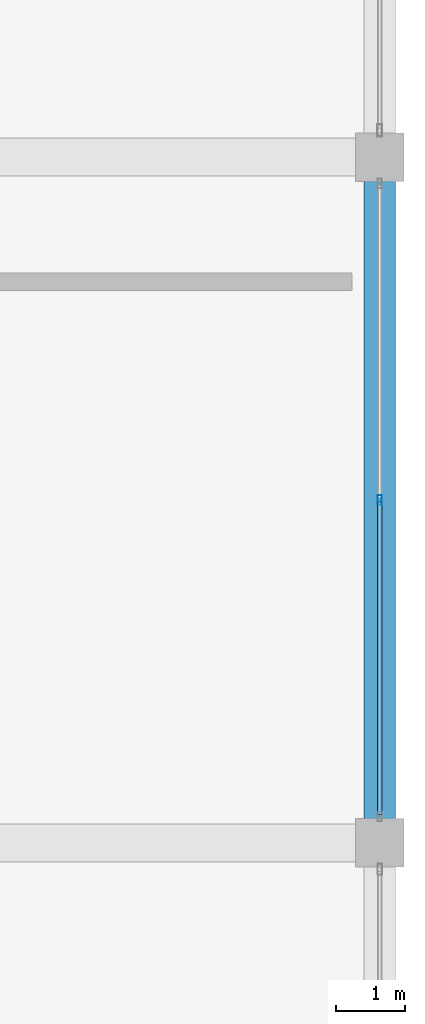
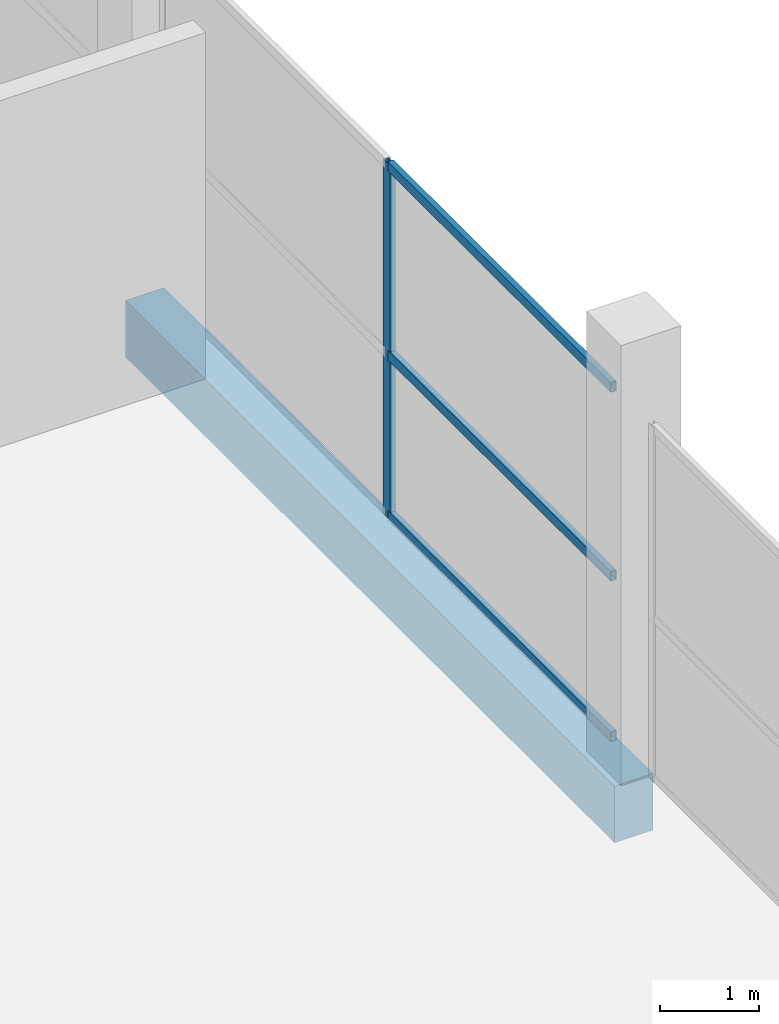
# One storey, part 34 of 72: 4 members, 1 beam, 1 element without a shape of its own.
"""IFC4 building model written with IfcOpenShell, lengths in metres."""

from ifc_helpers import new_model, si_unit, direction, frame, origin, origin_2d, place, context, subcontext, project, spatial, rectangle, hollow_rectangle, extrude, material, layer, layer_set, material_profile, profile_set, type_object, element, aggregate, save


model = new_model("IFC4")

# Units and contexts
model_context = context("Model", 3, precision=1e-05, world=origin(), true_north=direction((0.0, 1.0)))
body_context = subcontext(model_context, "Body", "Model", "MODEL_VIEW")
ifc_project = project(units=[si_unit("LENGTHUNIT", "METRE"), si_unit("AREAUNIT", "SQUARE_METRE"), si_unit("VOLUMEUNIT", "CUBIC_METRE"), si_unit("PLANEANGLEUNIT", "RADIAN"), si_unit("MASSUNIT", "GRAM", prefix="KILO")], contexts=[model_context])

# Site, building, storey
site_placement = place(None, origin())
site = spatial("IfcSite", under=ifc_project, at=site_placement, CompositionType="ELEMENT")
building_placement = place(site_placement, origin())
building = spatial("IfcBuilding", under=site, at=building_placement, Name="Sillaruma Civic Art Gallery", CompositionType="ELEMENT")
storey_placement = place(building_placement, frame((0.0, 0.0, 10.8798828125)))
storey = spatial("IfcBuildingStorey", under=building, at=storey_placement, Name="L02", CompositionType="ELEMENT", Elevation=10.8798828125)

# Beam
ifc_material_1 = material(Name="Concrete H35 (35 MPa)", Category="concrete")
ifc_material_profile_1 = material_profile(ifc_material_1, rectangle(XDim=0.449951171875, YDim=0.699951171875, at=origin_2d()), Name="RCB450x700")
ifc_profile_set_1 = profile_set([ifc_material_profile_1], Name="Concrete H35 (35 MPa)")
beam_type = type_object("IfcBeamType", Name="BM-SPANDREL-RCB450x700", PredefinedType="SPANDREL", material=ifc_profile_set_1)
beam_placement = place(storey_placement, frame((176.39990234375, 9.89990234375, -0.60986328125), z_axis=(0.0, 1.0, 0.0), x_axis=(-1.0, 0.0, 0.0)))
element("IfcBeam", 1, at=beam_placement, inside=storey, type_object=beam_type, Name="Beam BS-03 (L01:T:2-3)", PredefinedType="SPANDREL", context=body_context, shape_type="SweptSolid", body=[
    extrude(rectangle(XDim=0.449951171875, YDim=0.699951171875, at=origin_2d()), origin(), (0.0, 0.0, 1.0), 9.900146484375),
])

# Curtain wall, members
ifc_material_2 = material(Name="Thermally Broken Extruded Aluminium 6063-T6", Category="aluminium")
ifc_layer = layer(ifc_material_2, 0.139892578125, Name="Thermally Broken Extruded Aluminium 6063-T6")
ifc_layer_set = layer_set([ifc_layer], Name="Thermally Broken Extruded Aluminium 6063-T6")
curtain_wall_type = type_object("IfcCurtainWallType", Name="CW-UNI-11", PredefinedType="NOTDEFINED", material=ifc_layer_set)
curtain_wall_placement = place(storey_placement, origin())
curtain_wall = element("IfcCurtainWall", 2, at=curtain_wall_placement, inside=storey, type_object=curtain_wall_type, Name="Unitised Curtain Wall CW-11 (CW-L02-ESTR-2)", PredefinedType="NOTDEFINED")
ifc_material_profile_2 = material_profile(ifc_material_2, hollow_rectangle(XDim=0.06005859375, YDim=0.139892578125, WallThickness=0.00341796875, at=origin_2d()), Name="CWM60x140")
ifc_profile_set_2 = profile_set([ifc_material_profile_2], Name="Thermally Broken Extruded Aluminium 6063-T6")
member_type_1 = type_object("IfcMemberType", Name="MEM-MUL-CWM60x140", PredefinedType="MULLION", material=ifc_profile_set_2)
member_1_placement = place(storey_placement, frame((176.39990234375, 14.85009765625, 0.0), z_axis=(0.0, 0.0, 1.0), x_axis=(-1.0, 0.0, 0.0)))
member_1 = element("IfcMember", 3, at=member_1_placement, type_object=member_type_1, Name="CW-11 mullion 2", PredefinedType="MULLION", context=body_context, shape_type="SweptSolid", body=[
    extrude(hollow_rectangle(XDim=0.06005859375, YDim=0.139892578125, WallThickness=0.00341796875, at=origin_2d()), origin(), (0.0, 0.0, 1.0), 4.380126953125),
])
ifc_material_profile_3 = material_profile(ifc_material_2, hollow_rectangle(XDim=0.06494140625, YDim=0.1201171875, WallThickness=0.00341796875, at=origin_2d()), Name="CWT65x120")
ifc_profile_set_3 = profile_set([ifc_material_profile_3], Name="Thermally Broken Extruded Aluminium 6063-T6")
member_type_2 = type_object("IfcMemberType", Name="MEM-TRN-CWT65x120", PredefinedType="USERDEFINED", material=ifc_profile_set_3)
member_2_placement = place(storey_placement, frame((176.39990234375, 10.31005859375, 0.03271484375), z_axis=(0.0, 1.0, 0.0), x_axis=(-1.0, 0.0, 0.0)))
member_2 = element("IfcMember", 4, at=member_2_placement, type_object=member_type_2, Name="CW-11 transom 1.1", ObjectType="TRANSOM", PredefinedType="USERDEFINED", context=body_context, shape_type="SweptSolid", body=[
    extrude(hollow_rectangle(XDim=0.06494140625, YDim=0.1201171875, WallThickness=0.00341796875, at=origin_2d()), origin(), (0.0, 0.0, 1.0), 4.510009765625),
])
member_3_placement = place(storey_placement, frame((176.39990234375, 10.31005859375, 2.014892578125), z_axis=(0.0, 1.0, 0.0), x_axis=(-1.0, 0.0, 0.0)))
member_3 = element("IfcMember", 5, at=member_3_placement, type_object=member_type_2, Name="CW-11 transom 1.2", ObjectType="TRANSOM", PredefinedType="USERDEFINED", context=body_context, shape_type="SweptSolid", body=[
    extrude(hollow_rectangle(XDim=0.06494140625, YDim=0.1201171875, WallThickness=0.00341796875, at=origin_2d()), origin(), (0.0, 0.0, 1.0), 4.510009765625),
])
member_4_placement = place(storey_placement, frame((176.39990234375, 10.31005859375, 4.34765625), z_axis=(0.0, 1.0, 0.0), x_axis=(-1.0, 0.0, 0.0)))
member_4 = element("IfcMember", 6, at=member_4_placement, type_object=member_type_2, Name="CW-11 transom 1.3", ObjectType="TRANSOM", PredefinedType="USERDEFINED", context=body_context, shape_type="SweptSolid", body=[
    extrude(hollow_rectangle(XDim=0.06494140625, YDim=0.1201171875, WallThickness=0.00341796875, at=origin_2d()), origin(), (0.0, 0.0, 1.0), 4.510009765625),
])
aggregate(curtain_wall, [member_1, member_2, member_3, member_4])

save(model, "model.ifc")
